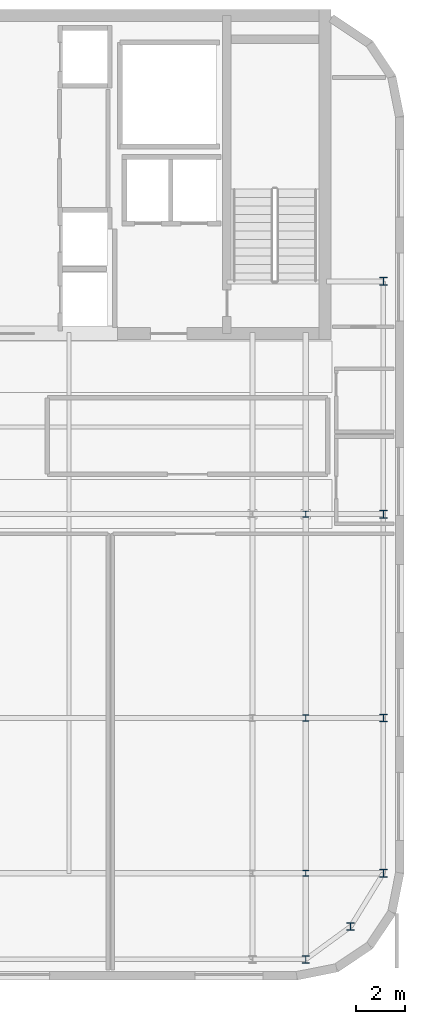
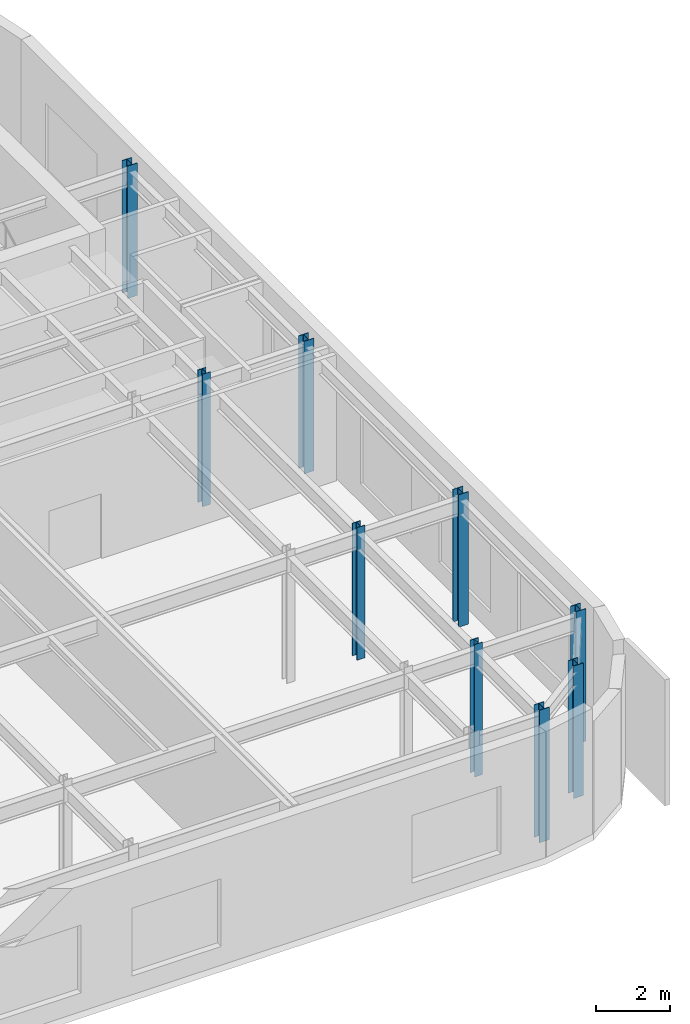
# One storey, part 3 of 10: 9 columns.
"""IFC4 building model written with IfcOpenShell, lengths in metres."""

from ifc_helpers import new_model, si_unit, direction, frame, origin, origin_2d, place, context, subcontext, project, spatial, i_section, extrude, source, transform, mapped, material, material_profile, profile_set, type_object, type_shapes, element, save


model = new_model("IFC4")

# Units and contexts
model_context = context("Model", 3, precision=1e-05, world=origin(), true_north=direction((0.0, 1.0)))
body_context = subcontext(model_context, "Body", "Model", "MODEL_VIEW")
ifc_project = project(units=[si_unit("LENGTHUNIT", "METRE"), si_unit("AREAUNIT", "SQUARE_METRE"), si_unit("VOLUMEUNIT", "CUBIC_METRE"), si_unit("PLANEANGLEUNIT", "RADIAN"), si_unit("MASSUNIT", "GRAM", prefix="KILO")], contexts=[model_context])

# Site, building, storey
site_placement = place(None, origin())
site = spatial("IfcSite", under=ifc_project, at=site_placement, CompositionType="ELEMENT")
building_placement = place(site_placement, origin())
building = spatial("IfcBuilding", under=site, at=building_placement, Name="Tolvann Quenvar Hotel", CompositionType="ELEMENT")
storey_placement = place(building_placement, frame((0.0, 0.0, 282.14990234375)))
storey = spatial("IfcBuildingStorey", under=building, at=storey_placement, Name="L75", CompositionType="ELEMENT", Elevation=282.14990234375)

# Columns
ifc_material = material(Name="Steel Grade 350", Category="steel")
ifc_material_profile_1 = material_profile(ifc_material, i_section(OverallWidth=0.306884765625, OverallDepth=0.31494140625, WebThickness=0.011962890625, FlangeThickness=0.018798828125, FilletRadius=0.0166015625, at=origin_2d()), Name="310UC118")
ifc_profile_set_1 = profile_set([ifc_material_profile_1], Name="Steel Grade 350")
column_type_1 = type_object("IfcColumnType", Name="COL_310UC118", PredefinedType="COLUMN", material=ifc_profile_set_1)
shared_shape_1 = source(origin(), body_context, "Body", "SweptSolid", [
    extrude(i_section(OverallWidth=0.306884765625, OverallDepth=0.31494140625, WebThickness=0.011962890625, FlangeThickness=0.018798828125, FilletRadius=0.0166015625, at=origin_2d()), origin(), (0.0, 0.0, 1.0), 4.400146484375),
])
type_shapes(column_type_1, [shared_shape_1])
for number, where, z_axis, x_axis, name in (
    (1, (34.949951171875, 6.050048828125, 0.0), (0.0, 0.0, 1.0), (1.0, 0.0, 0.0), "Column F2 (L75)"),
    (2, (36.800048828125, 7.39990234375, 0.0), (0.0, 0.0, 1.0), (1.0, 0.0, 0.0), "Column G2 (L75)"),
    (3, (38.14990234375, 9.60009765625, 0.0), (0.0, 0.0, 1.0), (1.0, 0.0, 0.0), "Column G3 (L75)"),
    (4, (38.14990234375, 16.0, 0.0), (0.0, 0.0, 1.0), (1.0, 0.0, 0.0), "Column G4 (L75)"),
    (5, (38.14990234375, 24.39990234375, 0.0), (0.0, 0.0, 1.0), (1.0, 0.0, 0.0), "Column G5 (L75)"),
    (6, (38.14990234375, 34.0, 0.0), (0.0, 0.0, 1.0), (1.0, 0.0, 0.0), "Column GD6 (L75)"),
):
    element("IfcColumn", number, at=place(storey_placement, frame(where, z_axis=z_axis, x_axis=x_axis)), inside=storey, type_object=column_type_1, Name=name, PredefinedType="COLUMN", context=body_context, shape_type="MappedRepresentation", body=[
        mapped(shared_shape_1, transform((0.0, 0.0, 0.0), x_axis=(1.0, 0.0, 0.0), y_axis=(0.0, 1.0, 0.0), z_axis=(0.0, 0.0, 1.0), scale=1.0)),
    ])
ifc_material_profile_2 = material_profile(ifc_material, i_section(OverallWidth=0.256103515625, OverallDepth=0.260009765625, WebThickness=0.010498046875, FlangeThickness=0.017333984375, FilletRadius=0.013916015625, at=origin_2d()), Name="250UC90")
ifc_profile_set_2 = profile_set([ifc_material_profile_2], Name="Steel Grade 350")
column_type_2 = type_object("IfcColumnType", Name="COL_250UC90", PredefinedType="COLUMN", material=ifc_profile_set_2)
shared_shape_2 = source(origin(), body_context, "Body", "SweptSolid", [
    extrude(i_section(OverallWidth=0.256103515625, OverallDepth=0.260009765625, WebThickness=0.010498046875, FlangeThickness=0.017333984375, FilletRadius=0.013916015625, at=origin_2d()), origin(), (0.0, 0.0, 1.0), 4.400146484375),
])
type_shapes(column_type_2, [shared_shape_2])
for number, where, z_axis, x_axis, name in (
    (7, (34.949951171875, 9.60009765625, 0.0), (0.0, 0.0, 1.0), (1.0, 0.0, 0.0), "Column F3 (L75)"),
    (8, (34.949951171875, 16.0, 0.0), (0.0, 0.0, 1.0), (1.0, 0.0, 0.0), "Column F4 (L75)"),
    (9, (34.949951171875, 24.39990234375, 0.0), (0.0, 0.0, 1.0), (1.0, 0.0, 0.0), "Column F5 (L75)"),
):
    element("IfcColumn", number, at=place(storey_placement, frame(where, z_axis=z_axis, x_axis=x_axis)), inside=storey, type_object=column_type_2, Name=name, PredefinedType="COLUMN", context=body_context, shape_type="MappedRepresentation", body=[
        mapped(shared_shape_2, transform((0.0, 0.0, 0.0), x_axis=(1.0, 0.0, 0.0), y_axis=(0.0, 1.0, 0.0), z_axis=(0.0, 0.0, 1.0), scale=1.0)),
    ])

save(model, "model.ifc")
